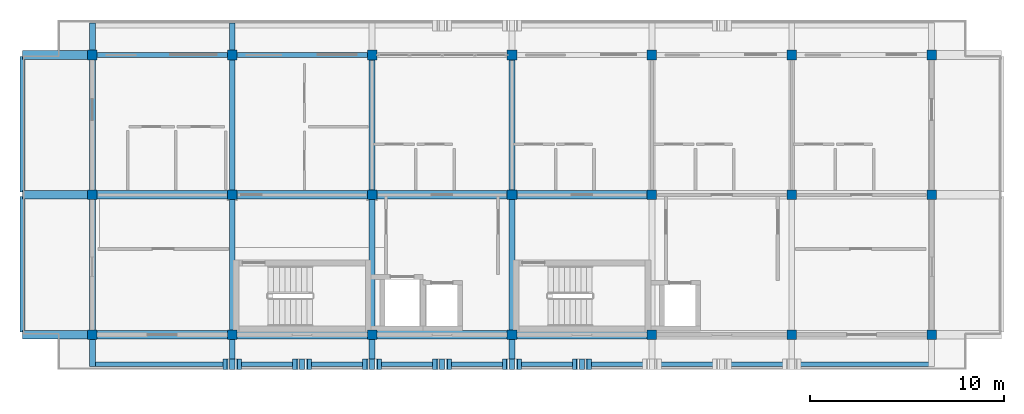
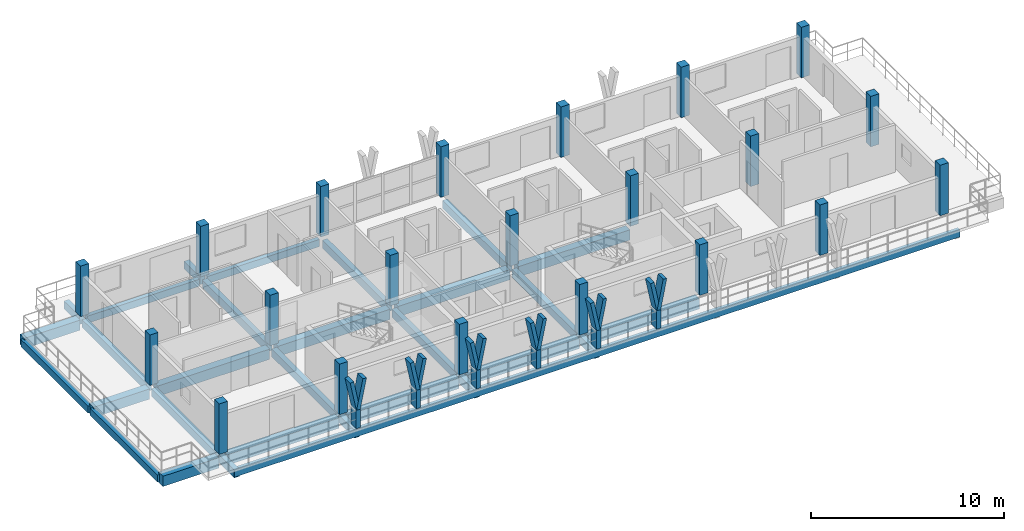
# One storey, part 1 of 9: 30 beams, 21 columns, 18 members.
"""IFC4 building model written with IfcOpenShell, lengths in metres."""

import ifcopenshell
import ifcopenshell.guid

model = None  # the IFC model being written
_history = None  # IfcOwnerHistory: only IFC2X3 demands one
_inside = {}  # id of a spatial element -> (the spatial element, [elements in it])
_under = {}  # id of a project, library or spatial element -> (it, [spatial elements below it])
_declared = {}  # id of a project -> (the project, [libraries it declares])
_typed = {}  # id of a type object -> (the type object, [elements of that type])
_made_of = {}  # id of a material, layer set ... -> (it, [elements and type objects made of it])


def new_model(schema):
    """Start an empty IFC model of exactly this schema.

    Asked for "IFC4X3", IfcOpenShell would pick the latest addendum, in which some entities
    have other attributes; the version numbers below select the first issue.
    IFC2X3 requires an IfcOwnerHistory on every rooted entity: one is made here for all.
    """
    global model, _history
    if schema == "IFC4X3":
        model = ifcopenshell.file(schema_version=(4, 3, 0, 0))
    else:
        model = ifcopenshell.file(schema=schema)
    _inside.clear()
    _under.clear()
    _declared.clear()
    _typed.clear()
    _made_of.clear()
    _history = None
    if model.schema == "IFC2X3":
        org = make("IfcOrganization", Name="unknown")
        user = make(
            "IfcPersonAndOrganization",
            ThePerson=make("IfcPerson", FamilyName="unknown"),
            TheOrganization=org,
        )
        app = make(
            "IfcApplication",
            ApplicationDeveloper=org,
            Version="unknown",
            ApplicationFullName="unknown",
            ApplicationIdentifier="unknown",
        )
        _history = make(
            "IfcOwnerHistory",
            OwningUser=user,
            OwningApplication=app,
            ChangeAction="ADDED",
            CreationDate=0,
        )
    return model


def make(cls, **values):
    """One entity of the class cls with the attributes given. An attribute that is None is left unset."""
    return model.create_entity(
        cls, **{name: value for name, value in values.items() if value is not None}
    )


def rooted(cls, **values):
    """An entity with a GlobalId (a new one), such as an element, a storey or a relation."""
    return make(cls, GlobalId=ifcopenshell.guid.new(), OwnerHistory=_history, **values)


def si_unit(unit_type, name, prefix=None):
    """IfcSIUnit, for example si_unit("LENGTHUNIT", "METRE", prefix="MILLI")."""
    return make("IfcSIUnit", UnitType=unit_type, Prefix=prefix, Name=name)


def assignment(units):
    """IfcUnitAssignment: the units of a project."""
    return None if units is None else make("IfcUnitAssignment", Units=units)


def point(xyz):
    """IfcCartesianPoint."""
    return None if xyz is None else make("IfcCartesianPoint", Coordinates=xyz)


def direction(xyz):
    """IfcDirection."""
    return None if xyz is None else make("IfcDirection", DirectionRatios=xyz)


def frame(location, z_axis=None, x_axis=None):
    """IfcAxis2Placement3D, a coordinate frame: its origin and axes. An axis left out is left unset."""
    return make(
        "IfcAxis2Placement3D",
        Location=point(location),
        Axis=direction(z_axis),
        RefDirection=direction(x_axis),
    )


def frame_2d(location, x_axis=None):
    """IfcAxis2Placement2D, a coordinate frame in the plane: its origin and x axis."""
    return make(
        "IfcAxis2Placement2D", Location=point(location), RefDirection=direction(x_axis)
    )


def origin():
    """The frame at (0, 0, 0) with its axes left unset."""
    return frame((0.0, 0.0, 0.0))


def origin_2d():
    """The frame at (0, 0) in the plane with its x axis left unset."""
    return frame_2d((0.0, 0.0))


def place(relative_to, where):
    """IfcLocalPlacement: puts the frame where relative to a parent placement (None: the world)."""
    return make(
        "IfcLocalPlacement", PlacementRelTo=relative_to, RelativePlacement=where
    )


def context(
    kind, dimensions, precision=None, world=None, true_north=None, identifier=None
):
    """IfcGeometricRepresentationContext, for example the 3D "Model" context."""
    return make(
        "IfcGeometricRepresentationContext",
        ContextIdentifier=identifier,
        ContextType=kind,
        CoordinateSpaceDimension=dimensions,
        Precision=precision,
        WorldCoordinateSystem=world,
        TrueNorth=true_north,
    )


def subcontext(parent, identifier, kind, view, scale=None):
    """IfcGeometricRepresentationSubContext, for example "Body" below "Model"."""
    return make(
        "IfcGeometricRepresentationSubContext",
        ContextIdentifier=identifier,
        ContextType=kind,
        ParentContext=parent,
        TargetScale=scale,
        TargetView=view,
    )


def project(units=None, contexts=None):
    """IfcProject with its units and contexts."""
    return rooted(
        "IfcProject",
        Name="project",
        RepresentationContexts=contexts,
        UnitsInContext=assignment(units),
    )


def spatial(cls, under=None, at=None, **own):
    """A site, building, storey or space (cls), placed at a placement, below another one or the project."""
    s = rooted(cls, ObjectPlacement=at, **own)
    if under is not None:
        _under.setdefault(under.id(), (under, []))[1].append(s)
    return s


def profile(cls, at=None, kind="AREA", **sizes):
    """A parametric profile (cls). Its sizes go by their IFC names, for example OverallWidth=200.0."""
    return make(cls, ProfileType=kind, Position=at, **sizes)


def rectangle(**sizes):
    """IfcRectangleProfileDef."""
    return profile("IfcRectangleProfileDef", **sizes)


def extrude(swept, where, along, depth):
    """IfcExtrudedAreaSolid: the profile swept, set in the frame where, extruded along a direction by depth."""
    return make(
        "IfcExtrudedAreaSolid",
        SweptArea=swept,
        Position=where,
        ExtrudedDirection=direction(along),
        Depth=depth,
    )


def shape(context_of_items, identifier, shape_type, items):
    """IfcShapeRepresentation: the items that make up one representation, for example the "Body"."""
    return make(
        "IfcShapeRepresentation",
        ContextOfItems=context_of_items,
        RepresentationIdentifier=identifier,
        RepresentationType=shape_type,
        Items=items,
    )


def material(Name=None, Category=None):
    """IfcMaterial."""
    return make("IfcMaterial", Name=Name, Category=Category)


def material_profile(
    of_material, cross_section, Name=None, Category=None, Priority=None
):
    """IfcMaterialProfile: a cross section and its material."""
    return make(
        "IfcMaterialProfile",
        Name=Name,
        Material=of_material,
        Profile=cross_section,
        Priority=Priority,
        Category=Category,
    )


def profile_set(profiles, Name=None, composite=None):
    """IfcMaterialProfileSet."""
    return make(
        "IfcMaterialProfileSet",
        Name=Name,
        MaterialProfiles=profiles,
        CompositeProfile=composite,
    )


def made_of(thing, what):
    """Note that an element or type object is made of a material, layer set ...; save() writes the relation."""
    if what is not None:
        _made_of.setdefault(what.id(), (what, []))[1].append(thing)
    return thing


def type_object(cls, material=None, **own):
    """A type object (cls), such as IfcWallType, which elements share."""
    return made_of(rooted(cls, **own), material)


def element(
    cls,
    number,
    at=None,
    inside=None,
    cuts=None,
    type_object=None,
    material=None,
    context=None,
    identifier="Body",
    shape_type=None,
    held_by="IfcProductDefinitionShape",
    body=None,
    shapes=None,
    **own,
):
    """One element of the class cls, such as IfcWall. Its Tag is "e" and its number.

    at: its placement. inside: the storey or other place that contains it. cuts: it is an
    opening in that element (IfcRelVoidsElement). A single representation is given by context,
    identifier, shape_type and body (its items); several are given by shapes. held_by: the class
    of the entity that holds the representations. save() writes the other relations.
    """
    e = rooted(cls, Tag="e%d" % number, ObjectPlacement=at, **own)
    if body is not None:
        shapes = [shape(context, identifier, shape_type, body)]
    if shapes is not None:
        e.Representation = make(held_by, Representations=shapes)
    if inside is not None:
        _inside.setdefault(inside.id(), (inside, []))[1].append(e)
    if cuts is not None:
        rooted(
            "IfcRelVoidsElement", RelatingBuildingElement=cuts, RelatedOpeningElement=e
        )
    if type_object is not None:
        _typed.setdefault(type_object.id(), (type_object, []))[1].append(e)
    return made_of(e, material)


def aggregate(whole, parts):
    """IfcRelAggregates: a whole, such as a stair, and the parts it consists of."""
    return rooted("IfcRelAggregates", RelatingObject=whole, RelatedObjects=parts)


def save(model, path):
    """Write the relations noted so far, then the file.

    IfcRelAggregates (storeys below a building ...), IfcRelContainedInSpatialStructure (elements
    in a storey), IfcRelDefinesByType, IfcRelAssociatesMaterial and IfcRelDeclares: one each for
    every whole, place, type object, material and project.
    """
    for whole, parts in _under.values():
        aggregate(whole, parts)
    for where, things in _inside.values():
        rooted(
            "IfcRelContainedInSpatialStructure",
            RelatedElements=things,
            RelatingStructure=where,
        )
    for kind, things in _typed.values():
        rooted("IfcRelDefinesByType", RelatedObjects=things, RelatingType=kind)
    for what, things in _made_of.values():
        rooted("IfcRelAssociatesMaterial", RelatedObjects=things, RelatingMaterial=what)
    for by, libraries in _declared.values():
        rooted("IfcRelDeclares", RelatingContext=by, RelatedDefinitions=libraries)
    model.write(path)


model = new_model("IFC4")

# Units and contexts
model_context = context("Model", 3, precision=1e-05, world=origin(), true_north=direction((0.0, 1.0)))
body_context = subcontext(model_context, "Body", "Model", "MODEL_VIEW")
ifc_project = project(units=[si_unit("LENGTHUNIT", "METRE"), si_unit("AREAUNIT", "SQUARE_METRE"), si_unit("VOLUMEUNIT", "CUBIC_METRE"), si_unit("PLANEANGLEUNIT", "RADIAN"), si_unit("MASSUNIT", "GRAM", prefix="KILO")], contexts=[model_context])

# Site, building, storey
site_placement = place(None, origin())
site = spatial("IfcSite", under=ifc_project, at=site_placement, CompositionType="ELEMENT")
building_placement = place(site_placement, origin())
building = spatial("IfcBuilding", under=site, at=building_placement, Name="Suanplinth Sawtooth Commons", CompositionType="ELEMENT")
storey_placement = place(building_placement, frame((0.0, 0.0, 47.699951171875)))
storey = spatial("IfcBuildingStorey", under=building, at=storey_placement, Name="L14", CompositionType="ELEMENT", Elevation=47.699951171875)

# Columns
ifc_material_1 = material(Name="Precast concrete C40/50", Category="concrete")
ifc_material_profile_1 = material_profile(ifc_material_1, rectangle(XDim=0.5, YDim=0.5, at=origin_2d()), Name="PC-COL 500x500")
ifc_profile_set_1 = profile_set([ifc_material_profile_1], Name="Precast concrete C40/50")
column_type = type_object("IfcColumnType", Name="C-06", PredefinedType="COLUMN", material=ifc_profile_set_1)
for number, where, z_axis, x_axis, name in (
    (1, (36.0, 108.0, 0.0), (0.0, 0.0, 1.0), (1.0, 0.0, 0.0), "Column L14 6/R"),
    (2, (36.0, 115.199951171875, 0.0), (0.0, 0.0, 1.0), (1.0, 0.0, 0.0), "Column L14 6/S"),
    (3, (36.0, 122.39990234375, 0.0), (0.0, 0.0, 1.0), (1.0, 0.0, 0.0), "Column L14 6/T"),
    (4, (43.199951171875, 108.0, 0.0), (0.0, 0.0, 1.0), (1.0, 0.0, 0.0), "Column L14 7/R"),
    (5, (43.199951171875, 115.199951171875, 0.0), (0.0, 0.0, 1.0), (1.0, 0.0, 0.0), "Column L14 7/S"),
    (6, (43.199951171875, 122.39990234375, 0.0), (0.0, 0.0, 1.0), (1.0, 0.0, 0.0), "Column L14 7/T"),
    (7, (50.39990234375, 108.0, 0.0), (0.0, 0.0, 1.0), (1.0, 0.0, 0.0), "Column L14 8/R"),
    (8, (50.39990234375, 115.199951171875, 0.0), (0.0, 0.0, 1.0), (1.0, 0.0, 0.0), "Column L14 8/S"),
    (9, (50.39990234375, 122.39990234375, 0.0), (0.0, 0.0, 1.0), (1.0, 0.0, 0.0), "Column L14 8/T"),
    (10, (57.60009765625, 108.0, 0.0), (0.0, 0.0, 1.0), (1.0, 0.0, 0.0), "Column L14 9/R"),
    (11, (57.60009765625, 115.199951171875, 0.0), (0.0, 0.0, 1.0), (1.0, 0.0, 0.0), "Column L14 9/S"),
    (12, (57.60009765625, 122.39990234375, 0.0), (0.0, 0.0, 1.0), (1.0, 0.0, 0.0), "Column L14 9/T"),
    (13, (64.800048828125, 108.0, 0.0), (0.0, 0.0, 1.0), (1.0, 0.0, 0.0), "Column L14 10/R"),
    (14, (64.800048828125, 115.199951171875, 0.0), (0.0, 0.0, 1.0), (1.0, 0.0, 0.0), "Column L14 10/S"),
    (15, (64.800048828125, 122.39990234375, 0.0), (0.0, 0.0, 1.0), (1.0, 0.0, 0.0), "Column L14 10/T"),
    (16, (72.0, 108.0, 0.0), (0.0, 0.0, 1.0), (1.0, 0.0, 0.0), "Column L14 11/R"),
    (17, (72.0, 115.199951171875, 0.0), (0.0, 0.0, 1.0), (1.0, 0.0, 0.0), "Column L14 11/S"),
    (18, (72.0, 122.39990234375, 0.0), (0.0, 0.0, 1.0), (1.0, 0.0, 0.0), "Column L14 11/T"),
    (19, (79.199951171875, 108.0, 0.0), (0.0, 0.0, 1.0), (1.0, 0.0, 0.0), "Column L14 12/R"),
    (20, (79.199951171875, 115.199951171875, 0.0), (0.0, 0.0, 1.0), (1.0, 0.0, 0.0), "Column L14 12/S"),
    (21, (79.199951171875, 122.39990234375, 0.0), (0.0, 0.0, 1.0), (1.0, 0.0, 0.0), "Column L14 12/T"),
):
    element("IfcColumn", number, at=place(storey_placement, frame(where, z_axis=z_axis, x_axis=x_axis)), inside=storey, type_object=column_type, Name=name, PredefinedType="COLUMN", context=body_context, shape_type="SweptSolid", body=[
        extrude(rectangle(XDim=0.5, YDim=0.5, at=origin_2d()), origin(), (0.0, 0.0, 1.0), 3.199951171875),
    ])

# Beams
ifc_material_profile_2 = material_profile(ifc_material_1, rectangle(XDim=0.449951171875, YDim=0.64990234375, at=origin_2d()), Name="PC-GDR 450x650")
ifc_profile_set_2 = profile_set([ifc_material_profile_2], Name="Precast concrete C40/50")
beam_type_1 = type_object("IfcBeamType", Name="B-04", PredefinedType="USERDEFINED", material=ifc_profile_set_2)
for number, where, z_axis, x_axis, name in (
    (22, (36.25, 108.0, -0.544921875), (1.0, 0.0, 0.0), (0.0, 1.0, 0.0), "BMX-L14-A-5-15"),
    (23, (36.25, 115.199951171875, -0.544921875), (1.0, 0.0, 0.0), (0.0, 1.0, 0.0), "BMX-L14-A-5-16"),
    (24, (43.449951171875, 108.0, -0.544921875), (1.0, 0.0, 0.0), (0.0, 1.0, 0.0), "BMX-L14-A-6-15"),
    (25, (43.449951171875, 115.199951171875, -0.544921875), (1.0, 0.0, 0.0), (0.0, 1.0, 0.0), "BMX-L14-A-6-16"),
):
    element("IfcBeam", number, at=place(storey_placement, frame(where, z_axis=z_axis, x_axis=x_axis)), inside=storey, type_object=beam_type_1, Name=name, ObjectType="GIRDER", PredefinedType="USERDEFINED", context=body_context, shape_type="SweptSolid", body=[
        extrude(rectangle(XDim=0.449951171875, YDim=0.64990234375, at=origin_2d()), origin(), (0.0, 0.0, 1.0), 6.699951171875),
    ])
for number, where, z_axis, x_axis, name in (
    (26, (50.64990234375, 108.0, -0.544921875), (1.0, 0.0, 0.0), (0.0, 1.0, 0.0), "BMX-L14-A-7-15"),
    (27, (50.64990234375, 115.199951171875, -0.544921875), (1.0, 0.0, 0.0), (0.0, 1.0, 0.0), "BMX-L14-A-7-16"),
):
    element("IfcBeam", number, at=place(storey_placement, frame(where, z_axis=z_axis, x_axis=x_axis)), inside=storey, type_object=beam_type_1, Name=name, ObjectType="GIRDER", PredefinedType="USERDEFINED", context=body_context, shape_type="SweptSolid", body=[
        extrude(rectangle(XDim=0.449951171875, YDim=0.64990234375, at=origin_2d()), origin(), (0.0, 0.0, 1.0), 6.7001953125),
    ])
for number, where, z_axis, x_axis, name in (
    (28, (57.85009765625, 108.0, -0.544921875), (1.0, 0.0, 0.0), (0.0, 1.0, 0.0), "BMX-L14-A-8-15"),
    (29, (57.85009765625, 115.199951171875, -0.544921875), (1.0, 0.0, 0.0), (0.0, 1.0, 0.0), "BMX-L14-A-8-16"),
):
    element("IfcBeam", number, at=place(storey_placement, frame(where, z_axis=z_axis, x_axis=x_axis)), inside=storey, type_object=beam_type_1, Name=name, ObjectType="GIRDER", PredefinedType="USERDEFINED", context=body_context, shape_type="SweptSolid", body=[
        extrude(rectangle(XDim=0.449951171875, YDim=0.64990234375, at=origin_2d()), origin(), (0.0, 0.0, 1.0), 6.699951171875),
    ])
for number, where, z_axis, x_axis, name in (
    (30, (35.75, 108.0, -0.544921875), (-1.0, 0.0, 0.0), (0.0, -1.0, 0.0), "BMX-L14-A-WCANT-15"),
    (31, (35.75, 115.199951171875, -0.544921875), (-1.0, 0.0, 0.0), (0.0, -1.0, 0.0), "BMX-L14-A-WCANT-16"),
    (32, (35.75, 122.39990234375, -0.544921875), (-1.0, 0.0, 0.0), (0.0, -1.0, 0.0), "BMX-L14-A-WCANT-17"),
):
    element("IfcBeam", number, at=place(storey_placement, frame(where, z_axis=z_axis, x_axis=x_axis)), inside=storey, type_object=beam_type_1, Name=name, ObjectType="GIRDER", PredefinedType="USERDEFINED", context=body_context, shape_type="SweptSolid", body=[
        extrude(rectangle(XDim=0.449951171875, YDim=0.64990234375, at=origin_2d()), origin(), (0.0, 0.0, 1.0), 3.35009765625),
    ])
ifc_material_profile_3 = material_profile(ifc_material_1, rectangle(XDim=0.300048828125, YDim=0.5, at=origin_2d()), Name="PC-BM 300x500")
ifc_profile_set_3 = profile_set([ifc_material_profile_3], Name="Precast concrete C40/50")
beam_type_2 = type_object("IfcBeamType", Name="B-07", PredefinedType="BEAM", material=ifc_profile_set_3)
for number, where, z_axis, x_axis, name in (
    (33, (36.0, 108.25, -0.469970703125), (0.0, 1.0, 0.0), (-1.0, 0.0, 0.0), "BMY-L14-A-5-15"),
    (34, (36.0, 115.449951171875, -0.469970703125), (0.0, 1.0, 0.0), (-1.0, 0.0, 0.0), "BMY-L14-A-5-16"),
    (35, (43.199951171875, 108.25, -0.469970703125), (0.0, 1.0, 0.0), (-1.0, 0.0, 0.0), "BMY-L14-A-6-15"),
    (36, (43.199951171875, 115.449951171875, -0.469970703125), (0.0, 1.0, 0.0), (-1.0, 0.0, 0.0), "BMY-L14-A-6-16"),
    (37, (50.39990234375, 108.25, -0.469970703125), (0.0, 1.0, 0.0), (-1.0, 0.0, 0.0), "BMY-L14-A-7-15"),
    (38, (50.39990234375, 115.449951171875, -0.469970703125), (0.0, 1.0, 0.0), (-1.0, 0.0, 0.0), "BMY-L14-A-7-16"),
    (39, (57.60009765625, 108.25, -0.469970703125), (0.0, 1.0, 0.0), (-1.0, 0.0, 0.0), "BMY-L14-A-8-15"),
    (40, (57.60009765625, 115.449951171875, -0.469970703125), (0.0, 1.0, 0.0), (-1.0, 0.0, 0.0), "BMY-L14-A-8-16"),
):
    element("IfcBeam", number, at=place(storey_placement, frame(where, z_axis=z_axis, x_axis=x_axis)), inside=storey, type_object=beam_type_2, Name=name, PredefinedType="BEAM", context=body_context, shape_type="SweptSolid", body=[
        extrude(rectangle(XDim=0.300048828125, YDim=0.5, at=origin_2d()), origin(), (0.0, 0.0, 1.0), 6.699951171875),
    ])
for number, where, z_axis, x_axis, name in (
    (41, (36.0, 122.39990234375, -0.429931640625), (0.0, 1.0, 0.0), (-1.0, 0.0, 0.0), "Balcony Outrigger L14-A-N-5"),
    (42, (43.199951171875, 122.39990234375, -0.429931640625), (0.0, 1.0, 0.0), (-1.0, 0.0, 0.0), "Balcony Outrigger L14-A-N-6"),
):
    element("IfcBeam", number, at=place(storey_placement, frame(where, z_axis=z_axis, x_axis=x_axis)), inside=storey, type_object=beam_type_2, Name=name, PredefinedType="BEAM", context=body_context, shape_type="SweptSolid", body=[
        extrude(rectangle(XDim=0.300048828125, YDim=0.5, at=origin_2d()), origin(), (0.0, 0.0, 1.0), 1.64013671875),
    ])
for number, where, z_axis, x_axis, name in (
    (43, (36.0, 108.0, -0.429931640625), (0.0, -1.0, 0.0), (1.0, 0.0, 0.0), "Balcony Outrigger L14-A-S-5"),
    (44, (43.199951171875, 108.0, -0.429931640625), (0.0, -1.0, 0.0), (1.0, 0.0, 0.0), "Balcony Outrigger L14-A-S-6"),
    (45, (50.39990234375, 108.0, -0.429931640625), (0.0, -1.0, 0.0), (1.0, 0.0, 0.0), "Balcony Outrigger L14-A-S-7"),
    (46, (57.60009765625, 108.0, -0.429931640625), (0.0, -1.0, 0.0), (1.0, 0.0, 0.0), "Balcony Outrigger L14-A-S-8"),
):
    element("IfcBeam", number, at=place(storey_placement, frame(where, z_axis=z_axis, x_axis=x_axis)), inside=storey, type_object=beam_type_2, Name=name, PredefinedType="BEAM", context=body_context, shape_type="SweptSolid", body=[
        extrude(rectangle(XDim=0.300048828125, YDim=0.5, at=origin_2d()), origin(), (0.0, 0.0, 1.0), 1.639892578125),
    ])
ifc_material_profile_4 = material_profile(ifc_material_1, rectangle(XDim=0.25, YDim=0.449951171875, at=origin_2d()), Name="PC-SP 250x450")
ifc_profile_set_4 = profile_set([ifc_material_profile_4], Name="Precast concrete C40/50")
beam_type_3 = type_object("IfcBeamType", Name="B-09", PredefinedType="SPANDREL", material=ifc_profile_set_4)
for number, where, z_axis, x_axis, name in (
    (47, (36.25, 122.39990234375, -0.445068359375), (1.0, 0.0, 0.0), (0.0, 1.0, 0.0), "BMX-L14-A-5-17"),
    (48, (43.449951171875, 122.39990234375, -0.445068359375), (1.0, 0.0, 0.0), (0.0, 1.0, 0.0), "BMX-L14-A-6-17"),
):
    element("IfcBeam", number, at=place(storey_placement, frame(where, z_axis=z_axis, x_axis=x_axis)), inside=storey, type_object=beam_type_3, Name=name, PredefinedType="SPANDREL", context=body_context, shape_type="SweptSolid", body=[
        extrude(rectangle(XDim=0.25, YDim=0.449951171875, at=origin_2d()), origin(), (0.0, 0.0, 1.0), 6.699951171875),
    ])
beam_1_placement = place(storey_placement, frame((32.39990234375, 108.139892578125, -0.544921875), z_axis=(0.0, 1.0, 0.0), x_axis=(-1.0, 0.0, 0.0)))
element("IfcBeam", 49, at=beam_1_placement, inside=storey, type_object=beam_type_3, Name="BMY-L14-A-STEP-324-15", PredefinedType="SPANDREL", context=body_context, shape_type="SweptSolid", body=[
    extrude(rectangle(XDim=0.25, YDim=0.449951171875, at=origin_2d()), origin(), (0.0, 0.0, 1.0), 6.980224609375),
])
beam_2_placement = place(storey_placement, frame((32.39990234375, 115.340087890625, -0.544921875), z_axis=(0.0, 1.0, 0.0), x_axis=(-1.0, 0.0, 0.0)))
element("IfcBeam", 50, at=beam_2_placement, inside=storey, type_object=beam_type_3, Name="BMY-L14-A-STEP-324-16", PredefinedType="SPANDREL", context=body_context, shape_type="SweptSolid", body=[
    extrude(rectangle(XDim=0.25, YDim=0.449951171875, at=origin_2d()), origin(), (0.0, 0.0, 1.0), 6.97998046875),
])
beam_3_placement = place(storey_placement, frame((35.85009765625, 106.47998046875, -0.405029296875), z_axis=(1.0, 0.0, 0.0), x_axis=(0.0, 1.0, 0.0)))
element("IfcBeam", 51, at=beam_3_placement, inside=storey, type_object=beam_type_3, Name="Balcony Edge Fascia L14-A-S", PredefinedType="SPANDREL", context=body_context, shape_type="SweptSolid", body=[
    extrude(rectangle(XDim=0.25, YDim=0.449951171875, at=origin_2d()), origin(), (0.0, 0.0, 1.0), 43.5),
])

# Members
ifc_material_2 = material(Name="Pigmented precast concrete C40/50", Category="concrete")
ifc_material_profile_5 = material_profile(ifc_material_2, rectangle(XDim=0.260009765625, YDim=0.550048828125, at=origin_2d()), Name="PC-FIN 260x550")
ifc_profile_set_5 = profile_set([ifc_material_profile_5], Name="Pigmented precast concrete C40/50")
member_type_1 = type_object("IfcMemberType", Name="M-09", PredefinedType="USERDEFINED", material=ifc_profile_set_5)
for number, where, z_axis, x_axis, name in (
    (52, (43.199951171875, 106.47998046875, 0.0), (0.0, 0.0, 1.0), (1.0, 0.0, 0.0), "Y-Blade Stem L14-A-S-04"),
    (53, (46.800048828125, 106.47998046875, 0.0), (0.0, 0.0, 1.0), (1.0, 0.0, 0.0), "Y-Blade Stem L14-A-S-05"),
    (54, (50.39990234375, 106.47998046875, 0.0), (0.0, 0.0, 1.0), (1.0, 0.0, 0.0), "Y-Blade Stem L14-A-S-06"),
    (55, (54.0, 106.47998046875, 0.0), (0.0, 0.0, 1.0), (1.0, 0.0, 0.0), "Y-Blade Stem L14-A-S-07"),
    (56, (57.60009765625, 106.47998046875, 0.0), (0.0, 0.0, 1.0), (1.0, 0.0, 0.0), "Y-Blade Stem L14-A-S-08"),
    (57, (61.199951171875, 106.47998046875, 0.0), (0.0, 0.0, 1.0), (1.0, 0.0, 0.0), "Y-Blade Stem L14-A-S-09"),
):
    element("IfcMember", number, at=place(storey_placement, frame(where, z_axis=z_axis, x_axis=x_axis)), inside=storey, type_object=member_type_1, Name=name, ObjectType="SHADING FIN", PredefinedType="USERDEFINED", context=body_context, shape_type="SweptSolid", body=[
        extrude(rectangle(XDim=0.260009765625, YDim=0.550048828125, at=origin_2d()), origin(), (0.0, 0.0, 1.0), 1.170166015625),
    ])
ifc_material_profile_6 = material_profile(ifc_material_2, rectangle(XDim=0.219970703125, YDim=0.550048828125, at=origin_2d()), Name="PC-FIN 220x550")
ifc_profile_set_6 = profile_set([ifc_material_profile_6], Name="Pigmented precast concrete C40/50")
member_type_2 = type_object("IfcMemberType", Name="M-10", PredefinedType="USERDEFINED", material=ifc_profile_set_6)
member_1_placement = place(storey_placement, frame((43.199951171875, 106.47998046875, 1.130126953125), z_axis=(-0.196309979414, 0.0, 0.980541886909), x_axis=(0.980541886909, 0.0, 0.196309979414)))
element("IfcMember", 58, at=member_1_placement, inside=storey, type_object=member_type_2, Name="Y-Blade Arm L L14-A-S-04", ObjectType="SHADING FIN", PredefinedType="USERDEFINED", context=body_context, shape_type="SweptSolid", body=[
    extrude(rectangle(XDim=0.219970703125, YDim=0.550048828125, at=origin_2d()), origin(), (0.0, 0.0, 1.0), 1.9375),
])
for number, where, z_axis, x_axis, name in (
    (59, (43.199951171875, 106.47998046875, 1.130126953125), (0.196431120402, 0.0, 0.980517626021), (-0.980517626021, 0.0, 0.196431120402), "Y-Blade Arm R L14-A-S-04"),
    (60, (46.800048828125, 106.47998046875, 1.130126953125), (-0.196431120402, 0.0, 0.980517626021), (0.980517626021, 0.0, 0.196431120402), "Y-Blade Arm L L14-A-S-05"),
):
    element("IfcMember", number, at=place(storey_placement, frame(where, z_axis=z_axis, x_axis=x_axis)), inside=storey, type_object=member_type_2, Name=name, ObjectType="SHADING FIN", PredefinedType="USERDEFINED", context=body_context, shape_type="SweptSolid", body=[
        extrude(rectangle(XDim=0.219970703125, YDim=0.550048828125, at=origin_2d()), origin(), (0.0, 0.0, 1.0), 1.937744140625),
    ])
for number, where, z_axis, x_axis, name in (
    (61, (46.800048828125, 106.47998046875, 1.130126953125), (0.196309979414, 0.0, 0.980541886909), (-0.980541886909, 0.0, 0.196309979414), "Y-Blade Arm R L14-A-S-05"),
    (62, (50.39990234375, 106.47998046875, 1.130126953125), (-0.196309979414, 0.0, 0.980541886909), (0.980541886909, 0.0, 0.196309979414), "Y-Blade Arm L L14-A-S-06"),
):
    element("IfcMember", number, at=place(storey_placement, frame(where, z_axis=z_axis, x_axis=x_axis)), inside=storey, type_object=member_type_2, Name=name, ObjectType="SHADING FIN", PredefinedType="USERDEFINED", context=body_context, shape_type="SweptSolid", body=[
        extrude(rectangle(XDim=0.219970703125, YDim=0.550048828125, at=origin_2d()), origin(), (0.0, 0.0, 1.0), 1.9375),
    ])
for number, where, z_axis, x_axis, name in (
    (63, (50.39990234375, 106.47998046875, 1.130126953125), (0.196431120402, 0.0, 0.980517626021), (-0.980517626021, 0.0, 0.196431120402), "Y-Blade Arm R L14-A-S-06"),
    (64, (54.0, 106.47998046875, 1.130126953125), (-0.196431120402, 0.0, 0.980517626021), (0.980517626021, 0.0, 0.196431120402), "Y-Blade Arm L L14-A-S-07"),
    (65, (54.0, 106.47998046875, 1.130126953125), (0.196431120402, 0.0, 0.980517626021), (-0.980517626021, 0.0, 0.196431120402), "Y-Blade Arm R L14-A-S-07"),
    (66, (57.60009765625, 106.47998046875, 1.130126953125), (-0.196431120402, 0.0, 0.980517626021), (0.980517626021, 0.0, 0.196431120402), "Y-Blade Arm L L14-A-S-08"),
):
    element("IfcMember", number, at=place(storey_placement, frame(where, z_axis=z_axis, x_axis=x_axis)), inside=storey, type_object=member_type_2, Name=name, ObjectType="SHADING FIN", PredefinedType="USERDEFINED", context=body_context, shape_type="SweptSolid", body=[
        extrude(rectangle(XDim=0.219970703125, YDim=0.550048828125, at=origin_2d()), origin(), (0.0, 0.0, 1.0), 1.937744140625),
    ])
for number, where, z_axis, x_axis, name in (
    (67, (57.60009765625, 106.47998046875, 1.130126953125), (0.196309979414, 0.0, 0.980541886909), (-0.980541886909, 0.0, 0.196309979414), "Y-Blade Arm R L14-A-S-08"),
    (68, (61.199951171875, 106.47998046875, 1.130126953125), (-0.196309979414, 0.0, 0.980541886909), (0.980541886909, 0.0, 0.196309979414), "Y-Blade Arm L L14-A-S-09"),
):
    element("IfcMember", number, at=place(storey_placement, frame(where, z_axis=z_axis, x_axis=x_axis)), inside=storey, type_object=member_type_2, Name=name, ObjectType="SHADING FIN", PredefinedType="USERDEFINED", context=body_context, shape_type="SweptSolid", body=[
        extrude(rectangle(XDim=0.219970703125, YDim=0.550048828125, at=origin_2d()), origin(), (0.0, 0.0, 1.0), 1.9375),
    ])
member_2_placement = place(storey_placement, frame((61.199951171875, 106.47998046875, 1.130126953125), z_axis=(0.196431120402, 0.0, 0.980517626021), x_axis=(-0.980517626021, 0.0, 0.196431120402)))
element("IfcMember", 69, at=member_2_placement, inside=storey, type_object=member_type_2, Name="Y-Blade Arm R L14-A-S-09", ObjectType="SHADING FIN", PredefinedType="USERDEFINED", context=body_context, shape_type="SweptSolid", body=[
    extrude(rectangle(XDim=0.219970703125, YDim=0.550048828125, at=origin_2d()), origin(), (0.0, 0.0, 1.0), 1.937744140625),
])

save(model, "model.ifc")
